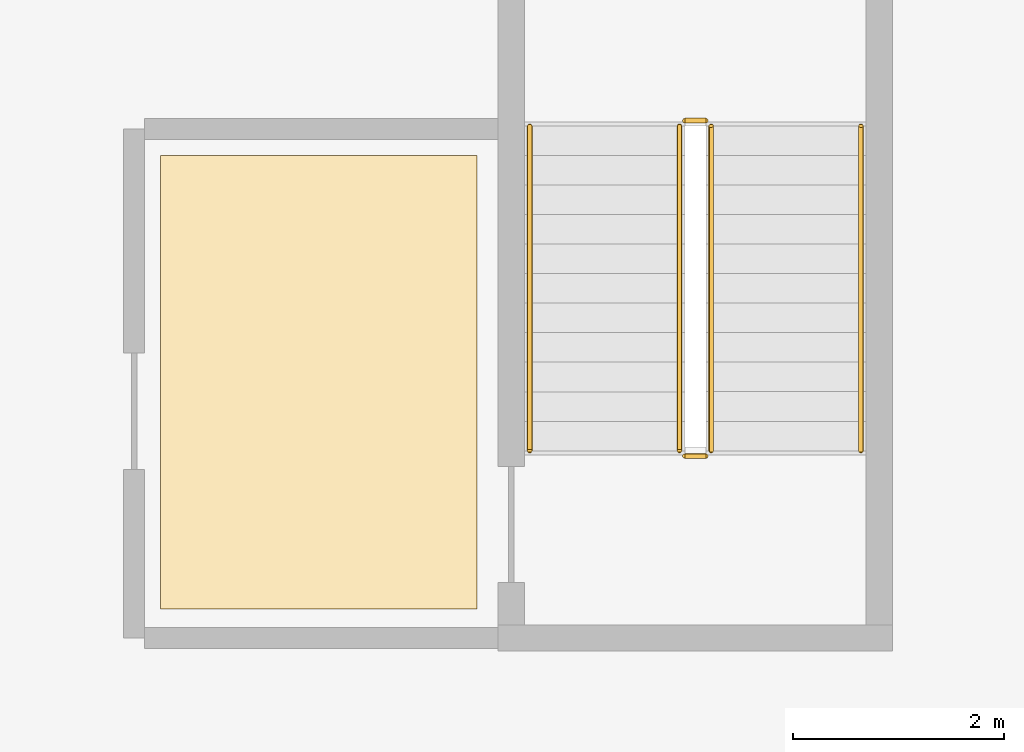
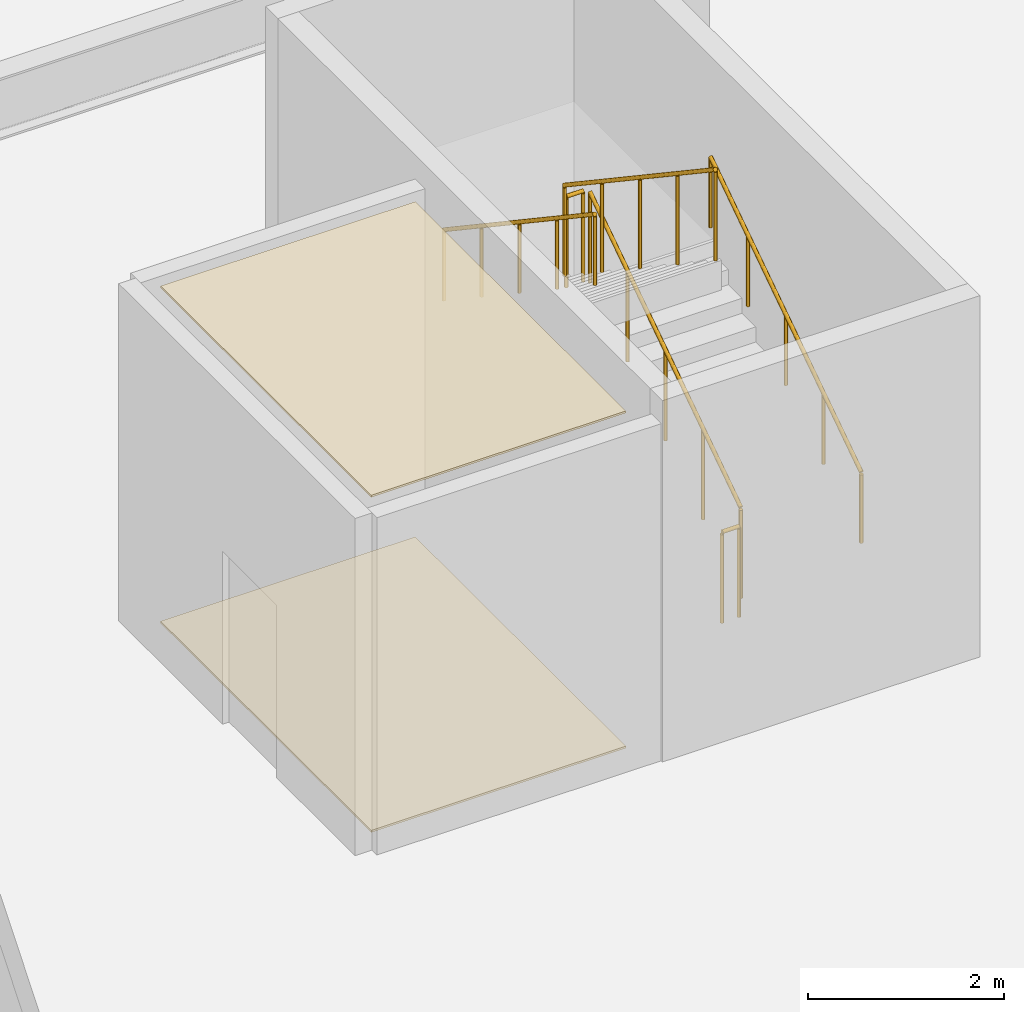
# One storey, part 35 of 43: 6 railings, 2 coverings.
"""IFC4 building model written with IfcOpenShell, lengths in metres."""

from ifc_helpers import new_model, si_unit, direction, frame, origin, origin_2d, place, context, subcontext, project, spatial, polyline, circle, outline, extrude, material, layer, layer_set, type_object, element, save


model = new_model("IFC4")

# Units and contexts
model_context = context("Model", 3, precision=1e-05, world=origin(), true_north=direction((0.0, 1.0)))
body_context = subcontext(model_context, "Body", "Model", "MODEL_VIEW")
ifc_project = project(units=[si_unit("LENGTHUNIT", "METRE"), si_unit("AREAUNIT", "SQUARE_METRE"), si_unit("VOLUMEUNIT", "CUBIC_METRE"), si_unit("PLANEANGLEUNIT", "RADIAN"), si_unit("MASSUNIT", "GRAM", prefix="KILO")], contexts=[model_context])

# Site, building, storey
site_placement = place(None, origin())
site = spatial("IfcSite", under=ifc_project, at=site_placement, CompositionType="ELEMENT")
building_placement = place(site_placement, origin())
building = spatial("IfcBuilding", under=site, at=building_placement, Name="Korimba Cascade Residences", CompositionType="ELEMENT")
storey_placement = place(building_placement, frame((0.0, 0.0, 10.0)))
storey = spatial("IfcBuildingStorey", under=building, at=storey_placement, Name="L02", CompositionType="ELEMENT", Elevation=10.0)

# Coverings
ifc_material_1 = material(Name="Perforated Acoustic Gypsum Ceiling", Category="gypsum")
ifc_layer_1 = layer(ifc_material_1, 0.02490234375)
ifc_layer_set_1 = layer_set([ifc_layer_1], Name="Perforated Acoustic Gypsum Ceiling")
covering_type_1 = type_object("IfcCoveringType", Name="COV-CLG-AC", PredefinedType="CEILING", material=ifc_layer_set_1)
covering_1_placement = place(storey_placement, frame((0.0, 0.0, 4.175048828125)))
element("IfcCovering", 1, at=covering_1_placement, inside=storey, type_object=covering_type_1, Name="L02 Suspended Acoustic Ceiling L02-PL6", PredefinedType="CEILING", context=body_context, shape_type="SweptSolid", body=[
    extrude(outline(polyline([(131.050048828125, -12.64990234375), (134.050048828125, -12.64990234375), (134.050048828125, -8.35009765625), (131.050048828125, -8.35009765625), (131.050048828125, -12.64990234375)])), origin(), (0.0, 0.0, 1.0), 0.02490234375),
])
ifc_material_2 = material(Name="Honed Travertine Stone Flooring", Category="masonry")
ifc_layer_2 = layer(ifc_material_2, 0.02490234375)
ifc_layer_set_2 = layer_set([ifc_layer_2], Name="Honed Travertine Stone Flooring")
covering_type_2 = type_object("IfcCoveringType", Name="COV-FLR-STN", PredefinedType="FLOORING", material=ifc_layer_set_2)
covering_2_placement = place(storey_placement, origin())
element("IfcCovering", 2, at=covering_2_placement, inside=storey, type_object=covering_type_2, Name="L02 Honed Travertine Stone Flooring L02-PL6", PredefinedType="FLOORING", context=body_context, shape_type="SweptSolid", body=[
    extrude(outline(polyline([(131.050048828125, -12.64990234375), (134.050048828125, -12.64990234375), (134.050048828125, -8.35009765625), (131.050048828125, -8.35009765625), (131.050048828125, -12.64990234375)])), origin(), (0.0, 0.0, 1.0), 0.02490234375),
])

# Railings
ifc_material_3 = material(Name="Painted Steel Stairwell Guardrail", Category="steel")
railing_type_1 = type_object("IfcRailingType", Name="RLG-ST-GD1150", PredefinedType="GUARDRAIL", material=ifc_material_3)
railing_1_placement = place(storey_placement, frame((136.27001953125, -11.14990234375, 0.1875)))
element("IfcRailing", 3, at=railing_1_placement, inside=storey, type_object=railing_type_1, Name="L02 ST-P6 stair guard 1", PredefinedType="GUARDRAIL", context=body_context, shape_type="SweptSolid", body=[
    extrude(circle(Radius=0.02392578125, at=origin_2d()), frame((0.0, 0.0, 1.1259765625), z_axis=(0.0, 0.830893310487, 0.556431762742), x_axis=(-1.0, 0.0, 0.0)), (0.0, 0.0, 1.0), 3.70654296875),
    extrude(circle(Radius=0.02099609375, at=origin_2d()), origin(), (0.0, 0.0, 1.0), 1.101806640625),
    extrude(circle(Radius=0.02099609375, at=origin_2d()), frame((0.0, 0.77001953125, 0.515625)), (0.0, 0.0, 1.0), 1.101806640625),
    extrude(circle(Radius=0.02099609375, at=origin_2d()), frame((0.0, 1.5400390625, 1.03125)), (0.0, 0.0, 1.0), 1.101806640625),
    extrude(circle(Radius=0.02099609375, at=origin_2d()), frame((0.0, 2.309814453125, 1.546875)), (0.0, 0.0, 1.0), 1.101806640625),
    extrude(circle(Radius=0.02099609375, at=origin_2d()), frame((0.0, 3.079833984375, 2.0625)), (0.0, 0.0, 1.0), 1.101806640625),
])
railing_2_placement = place(storey_placement, frame((136.219970703125, -8.02001953125, 2.25)))
element("IfcRailing", 4, at=railing_2_placement, inside=storey, type_object=railing_type_1, Name="L02 ST-P6 stair guard 2", PredefinedType="GUARDRAIL", context=body_context, shape_type="SweptSolid", body=[
    extrude(circle(Radius=0.02392578125, at=origin_2d()), frame((0.0, 0.0, 1.1259765625), z_axis=(-1.0, 0.0, 0.0), x_axis=(0.0, -1.0, 0.0)), (0.0, 0.0, 1.0), 0.199951171875),
    extrude(circle(Radius=0.02099609375, at=origin_2d()), origin(), (0.0, 0.0, 1.0), 1.101806640625),
    extrude(circle(Radius=0.02099609375, at=origin_2d()), frame((-0.199951171875, 0.0, 0.0)), (0.0, 0.0, 1.0), 1.101806640625),
])
railing_3_placement = place(storey_placement, frame((135.969970703125, -8.070068359375, 2.4375)))
element("IfcRailing", 5, at=railing_3_placement, inside=storey, type_object=railing_type_1, Name="L02 ST-P6 stair guard 3", PredefinedType="GUARDRAIL", context=body_context, shape_type="SweptSolid", body=[
    extrude(circle(Radius=0.02392578125, at=origin_2d()), frame((0.0, 0.0, 1.1259765625), z_axis=(0.0, -0.830893310487, 0.556431762742), x_axis=(1.0, 0.0, 0.0)), (0.0, 0.0, 1.0), 3.70654296875),
    extrude(circle(Radius=0.02099609375, at=origin_2d()), origin(), (0.0, 0.0, 1.0), 1.101806640625),
    extrude(circle(Radius=0.02099609375, at=origin_2d()), frame((0.0, -0.77001953125, 0.515625)), (0.0, 0.0, 1.0), 1.101806640625),
    extrude(circle(Radius=0.02099609375, at=origin_2d()), frame((0.0, -1.5400390625, 1.03125)), (0.0, 0.0, 1.0), 1.101806640625),
    extrude(circle(Radius=0.02099609375, at=origin_2d()), frame((0.0, -2.309814453125, 1.546875)), (0.0, 0.0, 1.0), 1.101806640625),
    extrude(circle(Radius=0.02099609375, at=origin_2d()), frame((0.0, -3.079833984375, 2.0625)), (0.0, 0.0, 1.0), 1.101806640625),
])
railing_4_placement = place(storey_placement, frame((136.219970703125, -11.199951171875, 0.0)))
element("IfcRailing", 6, at=railing_4_placement, inside=storey, type_object=railing_type_1, Name="L02 ST-P6 stair guard 4", PredefinedType="GUARDRAIL", context=body_context, shape_type="SweptSolid", body=[
    extrude(circle(Radius=0.02392578125, at=origin_2d()), frame((0.0, 0.0, 1.1259765625), z_axis=(-1.0, 0.0, 0.0), x_axis=(0.0, -1.0, 0.0)), (0.0, 0.0, 1.0), 0.199951171875),
    extrude(circle(Radius=0.02099609375, at=origin_2d()), origin(), (0.0, 0.0, 1.0), 1.101806640625),
    extrude(circle(Radius=0.02099609375, at=origin_2d()), frame((-0.199951171875, 0.0, 0.0)), (0.0, 0.0, 1.0), 1.101806640625),
])
ifc_material_4 = material(Name="Brushed Stainless Steel Handrail", Category="steel")
railing_type_2 = type_object("IfcRailingType", Name="RLG-ST-HR900", PredefinedType="HANDRAIL", material=ifc_material_4)
railing_5_placement = place(storey_placement, frame((137.68994140625, -11.14990234375, 0.379150390625)))
element("IfcRailing", 7, at=railing_5_placement, inside=storey, type_object=railing_type_2, Name="L02 ST-P6 stair handrail 1", PredefinedType="HANDRAIL", context=body_context, shape_type="SweptSolid", body=[
    extrude(circle(Radius=0.02392578125, at=origin_2d()), frame((0.0, 0.0, 0.8759765625), z_axis=(0.0, 0.830893310487, 0.556431762742), x_axis=(-1.0, 0.0, 0.0)), (0.0, 0.0, 1.0), 3.70654296875),
    extrude(circle(Radius=0.02099609375, at=origin_2d()), origin(), (0.0, 0.0, 1.0), 0.851806640625),
    extrude(circle(Radius=0.02099609375, at=origin_2d()), frame((0.0, 0.77001953125, 0.515625)), (0.0, 0.0, 1.0), 0.851806640625),
    extrude(circle(Radius=0.02099609375, at=origin_2d()), frame((0.0, 1.5400390625, 1.03125)), (0.0, 0.0, 1.0), 0.851806640625),
    extrude(circle(Radius=0.02099609375, at=origin_2d()), frame((0.0, 2.309814453125, 1.546875)), (0.0, 0.0, 1.0), 0.851806640625),
    extrude(circle(Radius=0.02099609375, at=origin_2d()), frame((0.0, 3.079833984375, 2.0625)), (0.0, 0.0, 1.0), 0.851806640625),
])
railing_6_placement = place(storey_placement, frame((134.550048828125, -8.070068359375, 2.629150390625)))
element("IfcRailing", 8, at=railing_6_placement, inside=storey, type_object=railing_type_2, Name="L02 ST-P6 stair handrail 2", PredefinedType="HANDRAIL", context=body_context, shape_type="SweptSolid", body=[
    extrude(circle(Radius=0.02392578125, at=origin_2d()), frame((0.0, 0.0, 0.8759765625), z_axis=(0.0, -0.830893310487, 0.556431762742), x_axis=(1.0, 0.0, 0.0)), (0.0, 0.0, 1.0), 3.70654296875),
    extrude(circle(Radius=0.02099609375, at=origin_2d()), origin(), (0.0, 0.0, 1.0), 0.851806640625),
    extrude(circle(Radius=0.02099609375, at=origin_2d()), frame((0.0, -0.77001953125, 0.515625)), (0.0, 0.0, 1.0), 0.851806640625),
    extrude(circle(Radius=0.02099609375, at=origin_2d()), frame((0.0, -1.5400390625, 1.03125)), (0.0, 0.0, 1.0), 0.851806640625),
    extrude(circle(Radius=0.02099609375, at=origin_2d()), frame((0.0, -2.309814453125, 1.546875)), (0.0, 0.0, 1.0), 0.851806640625),
    extrude(circle(Radius=0.02099609375, at=origin_2d()), frame((0.0, -3.079833984375, 2.0625)), (0.0, 0.0, 1.0), 0.851806640625),
])

save(model, "model.ifc")
